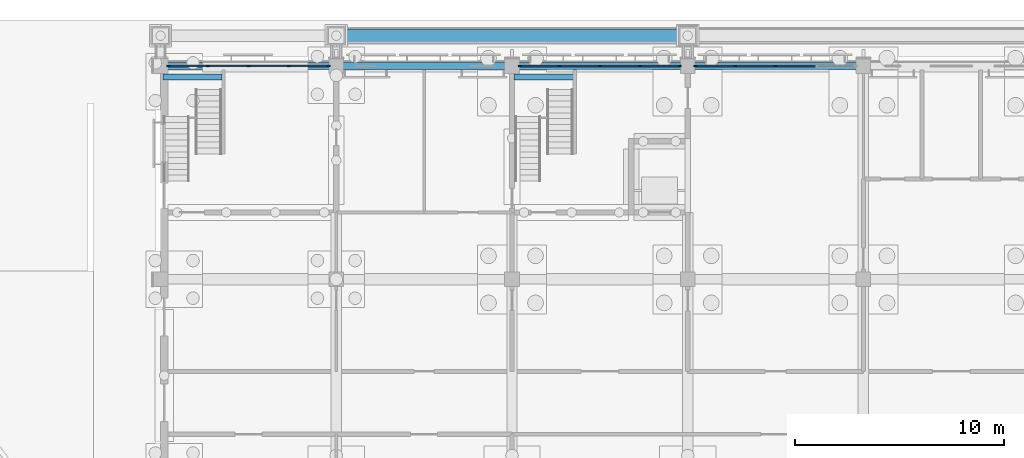
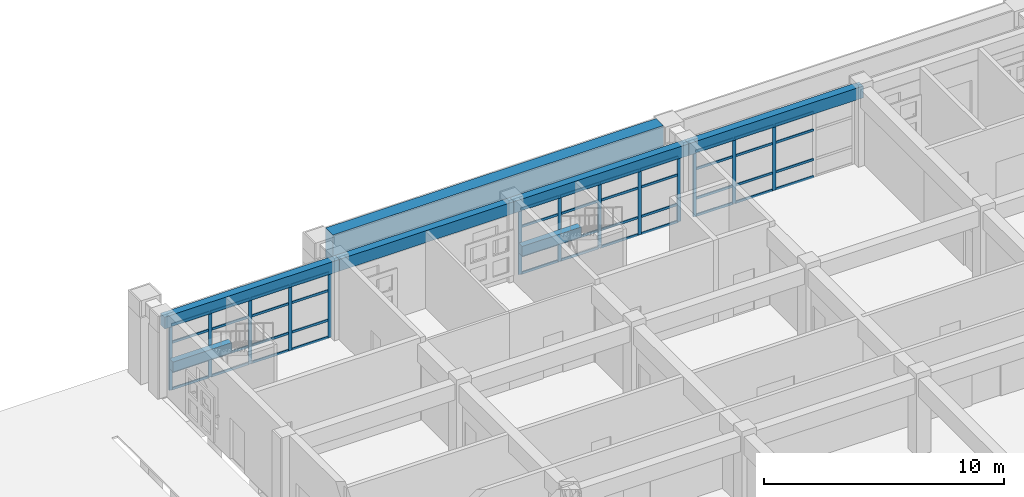
# One storey, part 40 of 112: 57 members, 7 beams, 3 elements without a shape of their own.
"""IFC4 building model written with IfcOpenShell, lengths in metres."""

import ifcopenshell
import ifcopenshell.guid

model = None  # the IFC model being written
_history = None  # IfcOwnerHistory: only IFC2X3 demands one
_inside = {}  # id of a spatial element -> (the spatial element, [elements in it])
_under = {}  # id of a project, library or spatial element -> (it, [spatial elements below it])
_declared = {}  # id of a project -> (the project, [libraries it declares])
_typed = {}  # id of a type object -> (the type object, [elements of that type])
_made_of = {}  # id of a material, layer set ... -> (it, [elements and type objects made of it])


def new_model(schema):
    """Start an empty IFC model of exactly this schema.

    Asked for "IFC4X3", IfcOpenShell would pick the latest addendum, in which some entities
    have other attributes; the version numbers below select the first issue.
    IFC2X3 requires an IfcOwnerHistory on every rooted entity: one is made here for all.
    """
    global model, _history
    if schema == "IFC4X3":
        model = ifcopenshell.file(schema_version=(4, 3, 0, 0))
    else:
        model = ifcopenshell.file(schema=schema)
    _inside.clear()
    _under.clear()
    _declared.clear()
    _typed.clear()
    _made_of.clear()
    _history = None
    if model.schema == "IFC2X3":
        org = make("IfcOrganization", Name="unknown")
        user = make(
            "IfcPersonAndOrganization",
            ThePerson=make("IfcPerson", FamilyName="unknown"),
            TheOrganization=org,
        )
        app = make(
            "IfcApplication",
            ApplicationDeveloper=org,
            Version="unknown",
            ApplicationFullName="unknown",
            ApplicationIdentifier="unknown",
        )
        _history = make(
            "IfcOwnerHistory",
            OwningUser=user,
            OwningApplication=app,
            ChangeAction="ADDED",
            CreationDate=0,
        )
    return model


def make(cls, **values):
    """One entity of the class cls with the attributes given. An attribute that is None is left unset."""
    return model.create_entity(
        cls, **{name: value for name, value in values.items() if value is not None}
    )


def rooted(cls, **values):
    """An entity with a GlobalId (a new one), such as an element, a storey or a relation."""
    return make(cls, GlobalId=ifcopenshell.guid.new(), OwnerHistory=_history, **values)


def si_unit(unit_type, name, prefix=None):
    """IfcSIUnit, for example si_unit("LENGTHUNIT", "METRE", prefix="MILLI")."""
    return make("IfcSIUnit", UnitType=unit_type, Prefix=prefix, Name=name)


def assignment(units):
    """IfcUnitAssignment: the units of a project."""
    return None if units is None else make("IfcUnitAssignment", Units=units)


def point(xyz):
    """IfcCartesianPoint."""
    return None if xyz is None else make("IfcCartesianPoint", Coordinates=xyz)


def direction(xyz):
    """IfcDirection."""
    return None if xyz is None else make("IfcDirection", DirectionRatios=xyz)


def frame(location, z_axis=None, x_axis=None):
    """IfcAxis2Placement3D, a coordinate frame: its origin and axes. An axis left out is left unset."""
    return make(
        "IfcAxis2Placement3D",
        Location=point(location),
        Axis=direction(z_axis),
        RefDirection=direction(x_axis),
    )


def frame_2d(location, x_axis=None):
    """IfcAxis2Placement2D, a coordinate frame in the plane: its origin and x axis."""
    return make(
        "IfcAxis2Placement2D", Location=point(location), RefDirection=direction(x_axis)
    )


def origin():
    """The frame at (0, 0, 0) with its axes left unset."""
    return frame((0.0, 0.0, 0.0))


def origin_2d():
    """The frame at (0, 0) in the plane with its x axis left unset."""
    return frame_2d((0.0, 0.0))


def place(relative_to, where):
    """IfcLocalPlacement: puts the frame where relative to a parent placement (None: the world)."""
    return make(
        "IfcLocalPlacement", PlacementRelTo=relative_to, RelativePlacement=where
    )


def context(
    kind, dimensions, precision=None, world=None, true_north=None, identifier=None
):
    """IfcGeometricRepresentationContext, for example the 3D "Model" context."""
    return make(
        "IfcGeometricRepresentationContext",
        ContextIdentifier=identifier,
        ContextType=kind,
        CoordinateSpaceDimension=dimensions,
        Precision=precision,
        WorldCoordinateSystem=world,
        TrueNorth=true_north,
    )


def subcontext(parent, identifier, kind, view, scale=None):
    """IfcGeometricRepresentationSubContext, for example "Body" below "Model"."""
    return make(
        "IfcGeometricRepresentationSubContext",
        ContextIdentifier=identifier,
        ContextType=kind,
        ParentContext=parent,
        TargetScale=scale,
        TargetView=view,
    )


def project(units=None, contexts=None):
    """IfcProject with its units and contexts."""
    return rooted(
        "IfcProject",
        Name="project",
        RepresentationContexts=contexts,
        UnitsInContext=assignment(units),
    )


def spatial(cls, under=None, at=None, **own):
    """A site, building, storey or space (cls), placed at a placement, below another one or the project."""
    s = rooted(cls, ObjectPlacement=at, **own)
    if under is not None:
        _under.setdefault(under.id(), (under, []))[1].append(s)
    return s


def profile(cls, at=None, kind="AREA", **sizes):
    """A parametric profile (cls). Its sizes go by their IFC names, for example OverallWidth=200.0."""
    return make(cls, ProfileType=kind, Position=at, **sizes)


def rectangle(**sizes):
    """IfcRectangleProfileDef."""
    return profile("IfcRectangleProfileDef", **sizes)


def extrude(swept, where, along, depth):
    """IfcExtrudedAreaSolid: the profile swept, set in the frame where, extruded along a direction by depth."""
    return make(
        "IfcExtrudedAreaSolid",
        SweptArea=swept,
        Position=where,
        ExtrudedDirection=direction(along),
        Depth=depth,
    )


def shape(context_of_items, identifier, shape_type, items):
    """IfcShapeRepresentation: the items that make up one representation, for example the "Body"."""
    return make(
        "IfcShapeRepresentation",
        ContextOfItems=context_of_items,
        RepresentationIdentifier=identifier,
        RepresentationType=shape_type,
        Items=items,
    )


def material(Name=None, Category=None):
    """IfcMaterial."""
    return make("IfcMaterial", Name=Name, Category=Category)


def layer(
    of_material, thickness, ventilated=None, Name=None, Category=None, Priority=None
):
    """IfcMaterialLayer: one layer of a wall or slab, of a material (None: an air gap)."""
    return make(
        "IfcMaterialLayer",
        Material=of_material,
        LayerThickness=thickness,
        IsVentilated=ventilated,
        Name=Name,
        Category=Category,
        Priority=Priority,
    )


def layer_set(layers, Name=None):
    """IfcMaterialLayerSet."""
    return make("IfcMaterialLayerSet", MaterialLayers=layers, LayerSetName=Name)


def material_profile(
    of_material, cross_section, Name=None, Category=None, Priority=None
):
    """IfcMaterialProfile: a cross section and its material."""
    return make(
        "IfcMaterialProfile",
        Name=Name,
        Material=of_material,
        Profile=cross_section,
        Priority=Priority,
        Category=Category,
    )


def profile_set(profiles, Name=None, composite=None):
    """IfcMaterialProfileSet."""
    return make(
        "IfcMaterialProfileSet",
        Name=Name,
        MaterialProfiles=profiles,
        CompositeProfile=composite,
    )


def made_of(thing, what):
    """Note that an element or type object is made of a material, layer set ...; save() writes the relation."""
    if what is not None:
        _made_of.setdefault(what.id(), (what, []))[1].append(thing)
    return thing


def type_object(cls, material=None, **own):
    """A type object (cls), such as IfcWallType, which elements share."""
    return made_of(rooted(cls, **own), material)


def element(
    cls,
    number,
    at=None,
    inside=None,
    cuts=None,
    type_object=None,
    material=None,
    context=None,
    identifier="Body",
    shape_type=None,
    held_by="IfcProductDefinitionShape",
    body=None,
    shapes=None,
    **own,
):
    """One element of the class cls, such as IfcWall. Its Tag is "e" and its number.

    at: its placement. inside: the storey or other place that contains it. cuts: it is an
    opening in that element (IfcRelVoidsElement). A single representation is given by context,
    identifier, shape_type and body (its items); several are given by shapes. held_by: the class
    of the entity that holds the representations. save() writes the other relations.
    """
    e = rooted(cls, Tag="e%d" % number, ObjectPlacement=at, **own)
    if body is not None:
        shapes = [shape(context, identifier, shape_type, body)]
    if shapes is not None:
        e.Representation = make(held_by, Representations=shapes)
    if inside is not None:
        _inside.setdefault(inside.id(), (inside, []))[1].append(e)
    if cuts is not None:
        rooted(
            "IfcRelVoidsElement", RelatingBuildingElement=cuts, RelatedOpeningElement=e
        )
    if type_object is not None:
        _typed.setdefault(type_object.id(), (type_object, []))[1].append(e)
    return made_of(e, material)


def aggregate(whole, parts):
    """IfcRelAggregates: a whole, such as a stair, and the parts it consists of."""
    return rooted("IfcRelAggregates", RelatingObject=whole, RelatedObjects=parts)


def save(model, path):
    """Write the relations noted so far, then the file.

    IfcRelAggregates (storeys below a building ...), IfcRelContainedInSpatialStructure (elements
    in a storey), IfcRelDefinesByType, IfcRelAssociatesMaterial and IfcRelDeclares: one each for
    every whole, place, type object, material and project.
    """
    for whole, parts in _under.values():
        aggregate(whole, parts)
    for where, things in _inside.values():
        rooted(
            "IfcRelContainedInSpatialStructure",
            RelatedElements=things,
            RelatingStructure=where,
        )
    for kind, things in _typed.values():
        rooted("IfcRelDefinesByType", RelatedObjects=things, RelatingType=kind)
    for what, things in _made_of.values():
        rooted("IfcRelAssociatesMaterial", RelatedObjects=things, RelatingMaterial=what)
    for by, libraries in _declared.values():
        rooted("IfcRelDeclares", RelatingContext=by, RelatedDefinitions=libraries)
    model.write(path)


model = new_model("IFC4")

# Units and contexts
model_context = context("Model", 3, precision=1e-05, world=origin(), true_north=direction((0.0, 1.0)))
body_context = subcontext(model_context, "Body", "Model", "MODEL_VIEW")
ifc_project = project(units=[si_unit("LENGTHUNIT", "METRE"), si_unit("AREAUNIT", "SQUARE_METRE"), si_unit("VOLUMEUNIT", "CUBIC_METRE"), si_unit("PLANEANGLEUNIT", "RADIAN"), si_unit("MASSUNIT", "GRAM", prefix="KILO")], contexts=[model_context])

# Site, building, storey
site_placement = place(None, origin())
site = spatial("IfcSite", under=ifc_project, at=site_placement, CompositionType="ELEMENT")
building_placement = place(site_placement, origin())
building = spatial("IfcBuilding", under=site, at=building_placement, Name="Wasatch Bagh Community Centre", CompositionType="ELEMENT")
storey_placement = place(building_placement, origin())
storey = spatial("IfcBuildingStorey", under=building, at=storey_placement, Name="L00", CompositionType="ELEMENT", Elevation=0.0)

# Beams
ifc_material_1 = material(Name="Concrete C35", Category="concrete")
ifc_material_profile_1 = material_profile(ifc_material_1, rectangle(XDim=0.300048828125, YDim=0.5, at=origin_2d()), Name="RC 300x500")
ifc_profile_set_1 = profile_set([ifc_material_profile_1], Name="Concrete C35")
beam_type_1 = type_object("IfcBeamType", Name="LW RC 300x500", PredefinedType="BEAM", material=ifc_profile_set_1)
for number, where, z_axis, x_axis, name in (
    (1, (64.10498046875, 97.280029296875, 1.64990234375), (1.0, 0.0, 0.0), (0.0, 1.0, 0.0), "LW.lbeam.L00.WS"),
    (2, (80.905029296875, 97.280029296875, 1.64990234375), (1.0, 0.0, 0.0), (0.0, 1.0, 0.0), "LW.lbeam.L00.C1"),
):
    element("IfcBeam", number, at=place(storey_placement, frame(where, z_axis=z_axis, x_axis=x_axis)), inside=storey, type_object=beam_type_1, Name=name, PredefinedType="BEAM", context=body_context, shape_type="SweptSolid", body=[
        extrude(rectangle(XDim=0.300048828125, YDim=0.5, at=origin_2d()), origin(), (0.0, 0.0, 1.0), 2.840087890625),
    ])
ifc_material_profile_2 = material_profile(ifc_material_1, rectangle(XDim=0.35009765625, YDim=0.60009765625, at=origin_2d()), Name="RC 350x600")
ifc_profile_set_2 = profile_set([ifc_material_profile_2], Name="Concrete C35")
beam_type_2 = type_object("IfcBeamType", Name="LW RC 350x600", PredefinedType="BEAM", material=ifc_profile_set_2)
beam_1_placement = place(storey_placement, frame((64.0, 97.800048828125, 3.6201171875), z_axis=(1.0, 0.0, 0.0), x_axis=(0.0, 1.0, 0.0)))
element("IfcBeam", 3, at=beam_1_placement, inside=storey, type_object=beam_type_2, Name="W1-W2N", PredefinedType="BEAM", context=body_context, shape_type="SweptSolid", body=[
    extrude(rectangle(XDim=0.35009765625, YDim=0.60009765625, at=origin_2d()), origin(), (0.0, 0.0, 1.0), 8.39990234375),
])
beam_2_placement = place(storey_placement, frame((72.39990234375, 97.800048828125, 3.6201171875), z_axis=(1.0, 0.0, 0.0), x_axis=(0.0, 1.0, 0.0)))
element("IfcBeam", 4, at=beam_2_placement, inside=storey, type_object=beam_type_2, Name="W2-W3N", PredefinedType="BEAM", context=body_context, shape_type="SweptSolid", body=[
    extrude(rectangle(XDim=0.35009765625, YDim=0.60009765625, at=origin_2d()), origin(), (0.0, 0.0, 1.0), 8.400146484375),
])
beam_3_placement = place(storey_placement, frame((80.800048828125, 97.800048828125, 3.6201171875), z_axis=(1.0, 0.0, 0.0), x_axis=(0.0, 1.0, 0.0)))
element("IfcBeam", 5, at=beam_3_placement, inside=storey, type_object=beam_type_2, Name="W3-W4N", PredefinedType="BEAM", context=body_context, shape_type="SweptSolid", body=[
    extrude(rectangle(XDim=0.35009765625, YDim=0.60009765625, at=origin_2d()), origin(), (0.0, 0.0, 1.0), 8.39990234375),
])
beam_4_placement = place(storey_placement, frame((89.199951171875, 97.800048828125, 3.6201171875), z_axis=(1.0, 0.0, 0.0), x_axis=(0.0, 1.0, 0.0)))
element("IfcBeam", 6, at=beam_4_placement, inside=storey, type_object=beam_type_2, Name="W4-W5N", PredefinedType="BEAM", context=body_context, shape_type="SweptSolid", body=[
    extrude(rectangle(XDim=0.35009765625, YDim=0.60009765625, at=origin_2d()), origin(), (0.0, 0.0, 1.0), 8.400146484375),
])

# Curtain wall, members
ifc_material_2 = material(Name="Aluminium curtain wall frame with low-iron glass", Category="aluminium")
ifc_layer_1 = layer(ifc_material_2, 0.10009765625)
ifc_layer_set_1 = layer_set([ifc_layer_1], Name="Aluminium curtain wall frame with low-iron glass")
curtain_wall_type_1 = type_object("IfcCurtainWallType", Name="LW curtain wall 100", PredefinedType="NOTDEFINED", material=ifc_layer_set_1)
curtain_wall_1_placement = place(storey_placement, origin())
curtain_wall_1 = element("IfcCurtainWall", 7, at=curtain_wall_1_placement, inside=storey, type_object=curtain_wall_type_1, Name="Curtain wall 00.06", PredefinedType="NOTDEFINED")
ifc_material_3 = material(Name="Aluminium extrusion", Category="aluminium")
ifc_material_profile_3 = material_profile(ifc_material_3, rectangle(XDim=0.06005859375, YDim=0.159912109375, at=origin_2d()), Name="AL 60x160")
ifc_profile_set_3 = profile_set([ifc_material_profile_3], Name="Aluminium extrusion")
member_type_1 = type_object("IfcMemberType", Name="LW curtain wall mullion 60x160", PredefinedType="MULLION", material=ifc_profile_set_3)
member_1_placement = place(storey_placement, frame((64.3798828125, 97.800048828125, 0.0), z_axis=(0.0, 0.0, 1.0), x_axis=(0.0, 1.0, 0.0)))
member_1 = element("IfcMember", 8, at=member_1_placement, type_object=member_type_1, Name="LW-CW1 mullion 1", PredefinedType="MULLION", context=body_context, shape_type="SweptSolid", body=[
    extrude(rectangle(XDim=0.06005859375, YDim=0.159912109375, at=origin_2d()), origin(), (0.0, 0.0, 1.0), 3.320068359375),
])
member_2_placement = place(storey_placement, frame((66.27490234375, 97.800048828125, 0.0), z_axis=(0.0, 0.0, 1.0), x_axis=(0.0, 1.0, 0.0)))
member_2 = element("IfcMember", 9, at=member_2_placement, type_object=member_type_1, Name="LW-CW1 mullion 2", PredefinedType="MULLION", context=body_context, shape_type="SweptSolid", body=[
    extrude(rectangle(XDim=0.06005859375, YDim=0.159912109375, at=origin_2d()), origin(), (0.0, 0.0, 1.0), 3.320068359375),
])
member_3_placement = place(storey_placement, frame((68.199951171875, 97.800048828125, 0.0), z_axis=(0.0, 0.0, 1.0), x_axis=(0.0, 1.0, 0.0)))
member_3 = element("IfcMember", 10, at=member_3_placement, type_object=member_type_1, Name="LW-CW1 mullion 3", PredefinedType="MULLION", context=body_context, shape_type="SweptSolid", body=[
    extrude(rectangle(XDim=0.06005859375, YDim=0.159912109375, at=origin_2d()), origin(), (0.0, 0.0, 1.0), 3.320068359375),
])
member_4_placement = place(storey_placement, frame((70.125, 97.800048828125, 0.0), z_axis=(0.0, 0.0, 1.0), x_axis=(0.0, 1.0, 0.0)))
member_4 = element("IfcMember", 11, at=member_4_placement, type_object=member_type_1, Name="LW-CW1 mullion 4", PredefinedType="MULLION", context=body_context, shape_type="SweptSolid", body=[
    extrude(rectangle(XDim=0.06005859375, YDim=0.159912109375, at=origin_2d()), origin(), (0.0, 0.0, 1.0), 3.320068359375),
])
member_5_placement = place(storey_placement, frame((72.02001953125, 97.800048828125, 0.0), z_axis=(0.0, 0.0, 1.0), x_axis=(0.0, 1.0, 0.0)))
member_5 = element("IfcMember", 12, at=member_5_placement, type_object=member_type_1, Name="LW-CW1 mullion 5", PredefinedType="MULLION", context=body_context, shape_type="SweptSolid", body=[
    extrude(rectangle(XDim=0.06005859375, YDim=0.159912109375, at=origin_2d()), origin(), (0.0, 0.0, 1.0), 3.320068359375),
])

curtain_wall_2_placement = place(storey_placement, origin())
curtain_wall_2 = element("IfcCurtainWall", 13, at=curtain_wall_2_placement, inside=storey, type_object=curtain_wall_type_1, Name="Curtain wall 00.07", PredefinedType="NOTDEFINED")
member_6_placement = place(storey_placement, frame((81.179931640625, 97.800048828125, 0.0), z_axis=(0.0, 0.0, 1.0), x_axis=(0.0, 1.0, 0.0)))
member_6 = element("IfcMember", 14, at=member_6_placement, type_object=member_type_1, Name="LW-CW1 mullion 1", PredefinedType="MULLION", context=body_context, shape_type="SweptSolid", body=[
    extrude(rectangle(XDim=0.06005859375, YDim=0.159912109375, at=origin_2d()), origin(), (0.0, 0.0, 1.0), 3.320068359375),
])
member_7_placement = place(storey_placement, frame((83.074951171875, 97.800048828125, 0.0), z_axis=(0.0, 0.0, 1.0), x_axis=(0.0, 1.0, 0.0)))
member_7 = element("IfcMember", 15, at=member_7_placement, type_object=member_type_1, Name="LW-CW1 mullion 2", PredefinedType="MULLION", context=body_context, shape_type="SweptSolid", body=[
    extrude(rectangle(XDim=0.06005859375, YDim=0.159912109375, at=origin_2d()), origin(), (0.0, 0.0, 1.0), 3.320068359375),
])
member_8_placement = place(storey_placement, frame((85.0, 97.800048828125, 0.0), z_axis=(0.0, 0.0, 1.0), x_axis=(0.0, 1.0, 0.0)))
member_8 = element("IfcMember", 16, at=member_8_placement, type_object=member_type_1, Name="LW-CW1 mullion 3", PredefinedType="MULLION", context=body_context, shape_type="SweptSolid", body=[
    extrude(rectangle(XDim=0.06005859375, YDim=0.159912109375, at=origin_2d()), origin(), (0.0, 0.0, 1.0), 3.320068359375),
])
member_9_placement = place(storey_placement, frame((86.925048828125, 97.800048828125, 0.0), z_axis=(0.0, 0.0, 1.0), x_axis=(0.0, 1.0, 0.0)))
member_9 = element("IfcMember", 17, at=member_9_placement, type_object=member_type_1, Name="LW-CW1 mullion 4", PredefinedType="MULLION", context=body_context, shape_type="SweptSolid", body=[
    extrude(rectangle(XDim=0.06005859375, YDim=0.159912109375, at=origin_2d()), origin(), (0.0, 0.0, 1.0), 3.320068359375),
])
member_10_placement = place(storey_placement, frame((88.820068359375, 97.800048828125, 0.0), z_axis=(0.0, 0.0, 1.0), x_axis=(0.0, 1.0, 0.0)))
member_10 = element("IfcMember", 18, at=member_10_placement, type_object=member_type_1, Name="LW-CW1 mullion 5", PredefinedType="MULLION", context=body_context, shape_type="SweptSolid", body=[
    extrude(rectangle(XDim=0.06005859375, YDim=0.159912109375, at=origin_2d()), origin(), (0.0, 0.0, 1.0), 3.320068359375),
])

ifc_layer_2 = layer(ifc_material_2, 0.1201171875)
ifc_layer_set_2 = layer_set([ifc_layer_2], Name="Aluminium curtain wall frame with low-iron glass")
curtain_wall_type_2 = type_object("IfcCurtainWallType", Name="LW study front curtain wall 120", PredefinedType="NOTDEFINED", material=ifc_layer_set_2)
curtain_wall_3_placement = place(storey_placement, origin())
curtain_wall_3 = element("IfcCurtainWall", 19, at=curtain_wall_3_placement, inside=storey, type_object=curtain_wall_type_2, Name="Curtain wall 00.08", PredefinedType="NOTDEFINED")
ifc_material_profile_4 = material_profile(ifc_material_3, rectangle(XDim=0.06005859375, YDim=0.159912109375, at=origin_2d()), Name="AL 60x160")
ifc_profile_set_4 = profile_set([ifc_material_profile_4], Name="Aluminium extrusion")
member_type_2 = type_object("IfcMemberType", Name="LW curtain wall mullion 60x160 LW-CW2", PredefinedType="MULLION", material=ifc_profile_set_4)
member_11_placement = place(storey_placement, frame((89.580078125, 97.800048828125, 0.0), z_axis=(0.0, 0.0, 1.0), x_axis=(0.0, 1.0, 0.0)))
member_11 = element("IfcMember", 20, at=member_11_placement, type_object=member_type_2, Name="LW-CW2 mullion 1", PredefinedType="MULLION", context=body_context, shape_type="SweptSolid", body=[
    extrude(rectangle(XDim=0.06005859375, YDim=0.159912109375, at=origin_2d()), origin(), (0.0, 0.0, 1.0), 3.320068359375),
])
member_12_placement = place(storey_placement, frame((91.47509765625, 97.800048828125, 0.0), z_axis=(0.0, 0.0, 1.0), x_axis=(0.0, 1.0, 0.0)))
member_12 = element("IfcMember", 21, at=member_12_placement, type_object=member_type_2, Name="LW-CW2 mullion 2", PredefinedType="MULLION", context=body_context, shape_type="SweptSolid", body=[
    extrude(rectangle(XDim=0.06005859375, YDim=0.159912109375, at=origin_2d()), origin(), (0.0, 0.0, 1.0), 3.320068359375),
])
member_13_placement = place(storey_placement, frame((93.39990234375, 97.800048828125, 0.0), z_axis=(0.0, 0.0, 1.0), x_axis=(0.0, 1.0, 0.0)))
member_13 = element("IfcMember", 22, at=member_13_placement, type_object=member_type_2, Name="LW-CW2 mullion 3", PredefinedType="MULLION", context=body_context, shape_type="SweptSolid", body=[
    extrude(rectangle(XDim=0.06005859375, YDim=0.159912109375, at=origin_2d()), origin(), (0.0, 0.0, 1.0), 3.320068359375),
])

# Member
ifc_material_profile_5 = material_profile(ifc_material_3, rectangle(XDim=0.06005859375, YDim=0.1201171875, at=origin_2d()), Name="AL 60x120")
ifc_profile_set_5 = profile_set([ifc_material_profile_5], Name="Aluminium extrusion")
member_type_3 = type_object("IfcMemberType", Name="LW curtain wall transom 60x120", PredefinedType="USERDEFINED", material=ifc_profile_set_5)
member_14_placement = place(storey_placement, frame((64.409912109375, 97.800048828125, 0.030029296875), z_axis=(1.0, 0.0, 0.0), x_axis=(0.0, 1.0, 0.0)))
member_14 = element("IfcMember", 23, at=member_14_placement, type_object=member_type_3, Name="LW-CW1 transom 1.1", ObjectType="TRANSOM", PredefinedType="USERDEFINED", context=body_context, shape_type="SweptSolid", body=[
    extrude(rectangle(XDim=0.06005859375, YDim=0.1201171875, at=origin_2d()), origin(), (0.0, 0.0, 1.0), 1.835205078125),
])

member_15_placement = place(storey_placement, frame((64.409912109375, 97.800048828125, 0.89990234375), z_axis=(1.0, 0.0, 0.0), x_axis=(0.0, 1.0, 0.0)))
member_15 = element("IfcMember", 24, at=member_15_placement, type_object=member_type_3, Name="LW-CW1 transom 1.2", ObjectType="TRANSOM", PredefinedType="USERDEFINED", context=body_context, shape_type="SweptSolid", body=[
    extrude(rectangle(XDim=0.06005859375, YDim=0.1201171875, at=origin_2d()), origin(), (0.0, 0.0, 1.0), 1.835205078125),
])

member_16_placement = place(storey_placement, frame((64.409912109375, 97.800048828125, 2.39990234375), z_axis=(1.0, 0.0, 0.0), x_axis=(0.0, 1.0, 0.0)))
member_16 = element("IfcMember", 25, at=member_16_placement, type_object=member_type_3, Name="LW-CW1 transom 1.3", ObjectType="TRANSOM", PredefinedType="USERDEFINED", context=body_context, shape_type="SweptSolid", body=[
    extrude(rectangle(XDim=0.06005859375, YDim=0.1201171875, at=origin_2d()), origin(), (0.0, 0.0, 1.0), 1.835205078125),
])

member_17_placement = place(storey_placement, frame((64.409912109375, 97.800048828125, 3.2900390625), z_axis=(1.0, 0.0, 0.0), x_axis=(0.0, 1.0, 0.0)))
member_17 = element("IfcMember", 26, at=member_17_placement, type_object=member_type_3, Name="LW-CW1 transom 1.4", ObjectType="TRANSOM", PredefinedType="USERDEFINED", context=body_context, shape_type="SweptSolid", body=[
    extrude(rectangle(XDim=0.06005859375, YDim=0.1201171875, at=origin_2d()), origin(), (0.0, 0.0, 1.0), 1.835205078125),
])

member_18_placement = place(storey_placement, frame((66.304931640625, 97.800048828125, 0.030029296875), z_axis=(1.0, 0.0, 0.0), x_axis=(0.0, 1.0, 0.0)))
member_18 = element("IfcMember", 27, at=member_18_placement, type_object=member_type_3, Name="LW-CW1 transom 2.1", ObjectType="TRANSOM", PredefinedType="USERDEFINED", context=body_context, shape_type="SweptSolid", body=[
    extrude(rectangle(XDim=0.06005859375, YDim=0.1201171875, at=origin_2d()), origin(), (0.0, 0.0, 1.0), 1.864990234375),
])

member_19_placement = place(storey_placement, frame((66.304931640625, 97.800048828125, 0.89990234375), z_axis=(1.0, 0.0, 0.0), x_axis=(0.0, 1.0, 0.0)))
member_19 = element("IfcMember", 28, at=member_19_placement, type_object=member_type_3, Name="LW-CW1 transom 2.2", ObjectType="TRANSOM", PredefinedType="USERDEFINED", context=body_context, shape_type="SweptSolid", body=[
    extrude(rectangle(XDim=0.06005859375, YDim=0.1201171875, at=origin_2d()), origin(), (0.0, 0.0, 1.0), 1.864990234375),
])

member_20_placement = place(storey_placement, frame((66.304931640625, 97.800048828125, 2.39990234375), z_axis=(1.0, 0.0, 0.0), x_axis=(0.0, 1.0, 0.0)))
member_20 = element("IfcMember", 29, at=member_20_placement, type_object=member_type_3, Name="LW-CW1 transom 2.3", ObjectType="TRANSOM", PredefinedType="USERDEFINED", context=body_context, shape_type="SweptSolid", body=[
    extrude(rectangle(XDim=0.06005859375, YDim=0.1201171875, at=origin_2d()), origin(), (0.0, 0.0, 1.0), 1.864990234375),
])

member_21_placement = place(storey_placement, frame((66.304931640625, 97.800048828125, 3.2900390625), z_axis=(1.0, 0.0, 0.0), x_axis=(0.0, 1.0, 0.0)))
member_21 = element("IfcMember", 30, at=member_21_placement, type_object=member_type_3, Name="LW-CW1 transom 2.4", ObjectType="TRANSOM", PredefinedType="USERDEFINED", context=body_context, shape_type="SweptSolid", body=[
    extrude(rectangle(XDim=0.06005859375, YDim=0.1201171875, at=origin_2d()), origin(), (0.0, 0.0, 1.0), 1.864990234375),
])

member_22_placement = place(storey_placement, frame((68.22998046875, 97.800048828125, 0.030029296875), z_axis=(1.0, 0.0, 0.0), x_axis=(0.0, 1.0, 0.0)))
member_22 = element("IfcMember", 31, at=member_22_placement, type_object=member_type_3, Name="LW-CW1 transom 3.1", ObjectType="TRANSOM", PredefinedType="USERDEFINED", context=body_context, shape_type="SweptSolid", body=[
    extrude(rectangle(XDim=0.06005859375, YDim=0.1201171875, at=origin_2d()), origin(), (0.0, 0.0, 1.0), 1.864990234375),
])

member_23_placement = place(storey_placement, frame((68.22998046875, 97.800048828125, 0.89990234375), z_axis=(1.0, 0.0, 0.0), x_axis=(0.0, 1.0, 0.0)))
member_23 = element("IfcMember", 32, at=member_23_placement, type_object=member_type_3, Name="LW-CW1 transom 3.2", ObjectType="TRANSOM", PredefinedType="USERDEFINED", context=body_context, shape_type="SweptSolid", body=[
    extrude(rectangle(XDim=0.06005859375, YDim=0.1201171875, at=origin_2d()), origin(), (0.0, 0.0, 1.0), 1.864990234375),
])

member_24_placement = place(storey_placement, frame((68.22998046875, 97.800048828125, 2.39990234375), z_axis=(1.0, 0.0, 0.0), x_axis=(0.0, 1.0, 0.0)))
member_24 = element("IfcMember", 33, at=member_24_placement, type_object=member_type_3, Name="LW-CW1 transom 3.3", ObjectType="TRANSOM", PredefinedType="USERDEFINED", context=body_context, shape_type="SweptSolid", body=[
    extrude(rectangle(XDim=0.06005859375, YDim=0.1201171875, at=origin_2d()), origin(), (0.0, 0.0, 1.0), 1.864990234375),
])

member_25_placement = place(storey_placement, frame((68.22998046875, 97.800048828125, 3.2900390625), z_axis=(1.0, 0.0, 0.0), x_axis=(0.0, 1.0, 0.0)))
member_25 = element("IfcMember", 34, at=member_25_placement, type_object=member_type_3, Name="LW-CW1 transom 3.4", ObjectType="TRANSOM", PredefinedType="USERDEFINED", context=body_context, shape_type="SweptSolid", body=[
    extrude(rectangle(XDim=0.06005859375, YDim=0.1201171875, at=origin_2d()), origin(), (0.0, 0.0, 1.0), 1.864990234375),
])

member_26_placement = place(storey_placement, frame((70.155029296875, 97.800048828125, 0.030029296875), z_axis=(1.0, 0.0, 0.0), x_axis=(0.0, 1.0, 0.0)))
member_26 = element("IfcMember", 35, at=member_26_placement, type_object=member_type_3, Name="LW-CW1 transom 4.1", ObjectType="TRANSOM", PredefinedType="USERDEFINED", context=body_context, shape_type="SweptSolid", body=[
    extrude(rectangle(XDim=0.06005859375, YDim=0.1201171875, at=origin_2d()), origin(), (0.0, 0.0, 1.0), 1.8349609375),
])

member_27_placement = place(storey_placement, frame((70.155029296875, 97.800048828125, 0.89990234375), z_axis=(1.0, 0.0, 0.0), x_axis=(0.0, 1.0, 0.0)))
member_27 = element("IfcMember", 36, at=member_27_placement, type_object=member_type_3, Name="LW-CW1 transom 4.2", ObjectType="TRANSOM", PredefinedType="USERDEFINED", context=body_context, shape_type="SweptSolid", body=[
    extrude(rectangle(XDim=0.06005859375, YDim=0.1201171875, at=origin_2d()), origin(), (0.0, 0.0, 1.0), 1.8349609375),
])

member_28_placement = place(storey_placement, frame((70.155029296875, 97.800048828125, 2.39990234375), z_axis=(1.0, 0.0, 0.0), x_axis=(0.0, 1.0, 0.0)))
member_28 = element("IfcMember", 37, at=member_28_placement, type_object=member_type_3, Name="LW-CW1 transom 4.3", ObjectType="TRANSOM", PredefinedType="USERDEFINED", context=body_context, shape_type="SweptSolid", body=[
    extrude(rectangle(XDim=0.06005859375, YDim=0.1201171875, at=origin_2d()), origin(), (0.0, 0.0, 1.0), 1.8349609375),
])

member_29_placement = place(storey_placement, frame((70.155029296875, 97.800048828125, 3.2900390625), z_axis=(1.0, 0.0, 0.0), x_axis=(0.0, 1.0, 0.0)))
member_29 = element("IfcMember", 38, at=member_29_placement, type_object=member_type_3, Name="LW-CW1 transom 4.4", ObjectType="TRANSOM", PredefinedType="USERDEFINED", context=body_context, shape_type="SweptSolid", body=[
    extrude(rectangle(XDim=0.06005859375, YDim=0.1201171875, at=origin_2d()), origin(), (0.0, 0.0, 1.0), 1.8349609375),
])

aggregate(curtain_wall_1, [member_1, member_2, member_3, member_4, member_5, member_14, member_15, member_16, member_17, member_18, member_19, member_20, member_21, member_22, member_23, member_24, member_25, member_26, member_27, member_28, member_29])

member_30_placement = place(storey_placement, frame((81.2099609375, 97.800048828125, 0.030029296875), z_axis=(1.0, 0.0, 0.0), x_axis=(0.0, 1.0, 0.0)))
member_30 = element("IfcMember", 39, at=member_30_placement, type_object=member_type_3, Name="LW-CW1 transom 1.1", ObjectType="TRANSOM", PredefinedType="USERDEFINED", context=body_context, shape_type="SweptSolid", body=[
    extrude(rectangle(XDim=0.06005859375, YDim=0.1201171875, at=origin_2d()), origin(), (0.0, 0.0, 1.0), 1.8349609375),
])

member_31_placement = place(storey_placement, frame((81.2099609375, 97.800048828125, 0.89990234375), z_axis=(1.0, 0.0, 0.0), x_axis=(0.0, 1.0, 0.0)))
member_31 = element("IfcMember", 40, at=member_31_placement, type_object=member_type_3, Name="LW-CW1 transom 1.2", ObjectType="TRANSOM", PredefinedType="USERDEFINED", context=body_context, shape_type="SweptSolid", body=[
    extrude(rectangle(XDim=0.06005859375, YDim=0.1201171875, at=origin_2d()), origin(), (0.0, 0.0, 1.0), 1.8349609375),
])

member_32_placement = place(storey_placement, frame((81.2099609375, 97.800048828125, 2.39990234375), z_axis=(1.0, 0.0, 0.0), x_axis=(0.0, 1.0, 0.0)))
member_32 = element("IfcMember", 41, at=member_32_placement, type_object=member_type_3, Name="LW-CW1 transom 1.3", ObjectType="TRANSOM", PredefinedType="USERDEFINED", context=body_context, shape_type="SweptSolid", body=[
    extrude(rectangle(XDim=0.06005859375, YDim=0.1201171875, at=origin_2d()), origin(), (0.0, 0.0, 1.0), 1.8349609375),
])

member_33_placement = place(storey_placement, frame((81.2099609375, 97.800048828125, 3.2900390625), z_axis=(1.0, 0.0, 0.0), x_axis=(0.0, 1.0, 0.0)))
member_33 = element("IfcMember", 42, at=member_33_placement, type_object=member_type_3, Name="LW-CW1 transom 1.4", ObjectType="TRANSOM", PredefinedType="USERDEFINED", context=body_context, shape_type="SweptSolid", body=[
    extrude(rectangle(XDim=0.06005859375, YDim=0.1201171875, at=origin_2d()), origin(), (0.0, 0.0, 1.0), 1.8349609375),
])

member_34_placement = place(storey_placement, frame((83.10498046875, 97.800048828125, 0.030029296875), z_axis=(1.0, 0.0, 0.0), x_axis=(0.0, 1.0, 0.0)))
member_34 = element("IfcMember", 43, at=member_34_placement, type_object=member_type_3, Name="LW-CW1 transom 2.1", ObjectType="TRANSOM", PredefinedType="USERDEFINED", context=body_context, shape_type="SweptSolid", body=[
    extrude(rectangle(XDim=0.06005859375, YDim=0.1201171875, at=origin_2d()), origin(), (0.0, 0.0, 1.0), 1.864990234375),
])

member_35_placement = place(storey_placement, frame((83.10498046875, 97.800048828125, 0.89990234375), z_axis=(1.0, 0.0, 0.0), x_axis=(0.0, 1.0, 0.0)))
member_35 = element("IfcMember", 44, at=member_35_placement, type_object=member_type_3, Name="LW-CW1 transom 2.2", ObjectType="TRANSOM", PredefinedType="USERDEFINED", context=body_context, shape_type="SweptSolid", body=[
    extrude(rectangle(XDim=0.06005859375, YDim=0.1201171875, at=origin_2d()), origin(), (0.0, 0.0, 1.0), 1.864990234375),
])

member_36_placement = place(storey_placement, frame((83.10498046875, 97.800048828125, 2.39990234375), z_axis=(1.0, 0.0, 0.0), x_axis=(0.0, 1.0, 0.0)))
member_36 = element("IfcMember", 45, at=member_36_placement, type_object=member_type_3, Name="LW-CW1 transom 2.3", ObjectType="TRANSOM", PredefinedType="USERDEFINED", context=body_context, shape_type="SweptSolid", body=[
    extrude(rectangle(XDim=0.06005859375, YDim=0.1201171875, at=origin_2d()), origin(), (0.0, 0.0, 1.0), 1.864990234375),
])

member_37_placement = place(storey_placement, frame((83.10498046875, 97.800048828125, 3.2900390625), z_axis=(1.0, 0.0, 0.0), x_axis=(0.0, 1.0, 0.0)))
member_37 = element("IfcMember", 46, at=member_37_placement, type_object=member_type_3, Name="LW-CW1 transom 2.4", ObjectType="TRANSOM", PredefinedType="USERDEFINED", context=body_context, shape_type="SweptSolid", body=[
    extrude(rectangle(XDim=0.06005859375, YDim=0.1201171875, at=origin_2d()), origin(), (0.0, 0.0, 1.0), 1.864990234375),
])

member_38_placement = place(storey_placement, frame((85.030029296875, 97.800048828125, 0.030029296875), z_axis=(1.0, 0.0, 0.0), x_axis=(0.0, 1.0, 0.0)))
member_38 = element("IfcMember", 47, at=member_38_placement, type_object=member_type_3, Name="LW-CW1 transom 3.1", ObjectType="TRANSOM", PredefinedType="USERDEFINED", context=body_context, shape_type="SweptSolid", body=[
    extrude(rectangle(XDim=0.06005859375, YDim=0.1201171875, at=origin_2d()), origin(), (0.0, 0.0, 1.0), 1.864990234375),
])

member_39_placement = place(storey_placement, frame((85.030029296875, 97.800048828125, 0.89990234375), z_axis=(1.0, 0.0, 0.0), x_axis=(0.0, 1.0, 0.0)))
member_39 = element("IfcMember", 48, at=member_39_placement, type_object=member_type_3, Name="LW-CW1 transom 3.2", ObjectType="TRANSOM", PredefinedType="USERDEFINED", context=body_context, shape_type="SweptSolid", body=[
    extrude(rectangle(XDim=0.06005859375, YDim=0.1201171875, at=origin_2d()), origin(), (0.0, 0.0, 1.0), 1.864990234375),
])

member_40_placement = place(storey_placement, frame((85.030029296875, 97.800048828125, 2.39990234375), z_axis=(1.0, 0.0, 0.0), x_axis=(0.0, 1.0, 0.0)))
member_40 = element("IfcMember", 49, at=member_40_placement, type_object=member_type_3, Name="LW-CW1 transom 3.3", ObjectType="TRANSOM", PredefinedType="USERDEFINED", context=body_context, shape_type="SweptSolid", body=[
    extrude(rectangle(XDim=0.06005859375, YDim=0.1201171875, at=origin_2d()), origin(), (0.0, 0.0, 1.0), 1.864990234375),
])

member_41_placement = place(storey_placement, frame((85.030029296875, 97.800048828125, 3.2900390625), z_axis=(1.0, 0.0, 0.0), x_axis=(0.0, 1.0, 0.0)))
member_41 = element("IfcMember", 50, at=member_41_placement, type_object=member_type_3, Name="LW-CW1 transom 3.4", ObjectType="TRANSOM", PredefinedType="USERDEFINED", context=body_context, shape_type="SweptSolid", body=[
    extrude(rectangle(XDim=0.06005859375, YDim=0.1201171875, at=origin_2d()), origin(), (0.0, 0.0, 1.0), 1.864990234375),
])

member_42_placement = place(storey_placement, frame((86.955078125, 97.800048828125, 0.030029296875), z_axis=(1.0, 0.0, 0.0), x_axis=(0.0, 1.0, 0.0)))
member_42 = element("IfcMember", 51, at=member_42_placement, type_object=member_type_3, Name="LW-CW1 transom 4.1", ObjectType="TRANSOM", PredefinedType="USERDEFINED", context=body_context, shape_type="SweptSolid", body=[
    extrude(rectangle(XDim=0.06005859375, YDim=0.1201171875, at=origin_2d()), origin(), (0.0, 0.0, 1.0), 1.8349609375),
])

member_43_placement = place(storey_placement, frame((86.955078125, 97.800048828125, 0.89990234375), z_axis=(1.0, 0.0, 0.0), x_axis=(0.0, 1.0, 0.0)))
member_43 = element("IfcMember", 52, at=member_43_placement, type_object=member_type_3, Name="LW-CW1 transom 4.2", ObjectType="TRANSOM", PredefinedType="USERDEFINED", context=body_context, shape_type="SweptSolid", body=[
    extrude(rectangle(XDim=0.06005859375, YDim=0.1201171875, at=origin_2d()), origin(), (0.0, 0.0, 1.0), 1.8349609375),
])

member_44_placement = place(storey_placement, frame((86.955078125, 97.800048828125, 2.39990234375), z_axis=(1.0, 0.0, 0.0), x_axis=(0.0, 1.0, 0.0)))
member_44 = element("IfcMember", 53, at=member_44_placement, type_object=member_type_3, Name="LW-CW1 transom 4.3", ObjectType="TRANSOM", PredefinedType="USERDEFINED", context=body_context, shape_type="SweptSolid", body=[
    extrude(rectangle(XDim=0.06005859375, YDim=0.1201171875, at=origin_2d()), origin(), (0.0, 0.0, 1.0), 1.8349609375),
])

member_45_placement = place(storey_placement, frame((86.955078125, 97.800048828125, 3.2900390625), z_axis=(1.0, 0.0, 0.0), x_axis=(0.0, 1.0, 0.0)))
member_45 = element("IfcMember", 54, at=member_45_placement, type_object=member_type_3, Name="LW-CW1 transom 4.4", ObjectType="TRANSOM", PredefinedType="USERDEFINED", context=body_context, shape_type="SweptSolid", body=[
    extrude(rectangle(XDim=0.06005859375, YDim=0.1201171875, at=origin_2d()), origin(), (0.0, 0.0, 1.0), 1.8349609375),
])

aggregate(curtain_wall_2, [member_6, member_7, member_8, member_9, member_10, member_30, member_31, member_32, member_33, member_34, member_35, member_36, member_37, member_38, member_39, member_40, member_41, member_42, member_43, member_44, member_45])

ifc_material_profile_6 = material_profile(ifc_material_3, rectangle(XDim=0.06005859375, YDim=0.1201171875, at=origin_2d()), Name="AL 60x120")
ifc_profile_set_6 = profile_set([ifc_material_profile_6], Name="Aluminium extrusion")
member_type_4 = type_object("IfcMemberType", Name="LW curtain wall transom 60x120 LW-CW2", PredefinedType="USERDEFINED", material=ifc_profile_set_6)
member_46_placement = place(storey_placement, frame((89.610107421875, 97.800048828125, 0.030029296875), z_axis=(1.0, 0.0, 0.0), x_axis=(0.0, 1.0, 0.0)))
member_46 = element("IfcMember", 55, at=member_46_placement, type_object=member_type_4, Name="LW-CW2 transom 1.1", ObjectType="TRANSOM", PredefinedType="USERDEFINED", context=body_context, shape_type="SweptSolid", body=[
    extrude(rectangle(XDim=0.06005859375, YDim=0.1201171875, at=origin_2d()), origin(), (0.0, 0.0, 1.0), 1.8349609375),
])

member_47_placement = place(storey_placement, frame((89.610107421875, 97.800048828125, 0.89990234375), z_axis=(1.0, 0.0, 0.0), x_axis=(0.0, 1.0, 0.0)))
member_47 = element("IfcMember", 56, at=member_47_placement, type_object=member_type_4, Name="LW-CW2 transom 1.2", ObjectType="TRANSOM", PredefinedType="USERDEFINED", context=body_context, shape_type="SweptSolid", body=[
    extrude(rectangle(XDim=0.06005859375, YDim=0.1201171875, at=origin_2d()), origin(), (0.0, 0.0, 1.0), 1.8349609375),
])

member_48_placement = place(storey_placement, frame((89.610107421875, 97.800048828125, 2.39990234375), z_axis=(1.0, 0.0, 0.0), x_axis=(0.0, 1.0, 0.0)))
member_48 = element("IfcMember", 57, at=member_48_placement, type_object=member_type_4, Name="LW-CW2 transom 1.3", ObjectType="TRANSOM", PredefinedType="USERDEFINED", context=body_context, shape_type="SweptSolid", body=[
    extrude(rectangle(XDim=0.06005859375, YDim=0.1201171875, at=origin_2d()), origin(), (0.0, 0.0, 1.0), 1.8349609375),
])

member_49_placement = place(storey_placement, frame((89.610107421875, 97.800048828125, 3.2900390625), z_axis=(1.0, 0.0, 0.0), x_axis=(0.0, 1.0, 0.0)))
member_49 = element("IfcMember", 58, at=member_49_placement, type_object=member_type_4, Name="LW-CW2 transom 1.4", ObjectType="TRANSOM", PredefinedType="USERDEFINED", context=body_context, shape_type="SweptSolid", body=[
    extrude(rectangle(XDim=0.06005859375, YDim=0.1201171875, at=origin_2d()), origin(), (0.0, 0.0, 1.0), 1.8349609375),
])

member_50_placement = place(storey_placement, frame((91.5048828125, 97.800048828125, 0.030029296875), z_axis=(1.0, 0.0, 0.0), x_axis=(0.0, 1.0, 0.0)))
member_50 = element("IfcMember", 59, at=member_50_placement, type_object=member_type_4, Name="LW-CW2 transom 2.1", ObjectType="TRANSOM", PredefinedType="USERDEFINED", context=body_context, shape_type="SweptSolid", body=[
    extrude(rectangle(XDim=0.06005859375, YDim=0.1201171875, at=origin_2d()), origin(), (0.0, 0.0, 1.0), 1.865234375),
])

member_51_placement = place(storey_placement, frame((91.5048828125, 97.800048828125, 0.89990234375), z_axis=(1.0, 0.0, 0.0), x_axis=(0.0, 1.0, 0.0)))
member_51 = element("IfcMember", 60, at=member_51_placement, type_object=member_type_4, Name="LW-CW2 transom 2.2", ObjectType="TRANSOM", PredefinedType="USERDEFINED", context=body_context, shape_type="SweptSolid", body=[
    extrude(rectangle(XDim=0.06005859375, YDim=0.1201171875, at=origin_2d()), origin(), (0.0, 0.0, 1.0), 1.865234375),
])

member_52_placement = place(storey_placement, frame((91.5048828125, 97.800048828125, 2.39990234375), z_axis=(1.0, 0.0, 0.0), x_axis=(0.0, 1.0, 0.0)))
member_52 = element("IfcMember", 61, at=member_52_placement, type_object=member_type_4, Name="LW-CW2 transom 2.3", ObjectType="TRANSOM", PredefinedType="USERDEFINED", context=body_context, shape_type="SweptSolid", body=[
    extrude(rectangle(XDim=0.06005859375, YDim=0.1201171875, at=origin_2d()), origin(), (0.0, 0.0, 1.0), 1.865234375),
])

member_53_placement = place(storey_placement, frame((91.5048828125, 97.800048828125, 3.2900390625), z_axis=(1.0, 0.0, 0.0), x_axis=(0.0, 1.0, 0.0)))
member_53 = element("IfcMember", 62, at=member_53_placement, type_object=member_type_4, Name="LW-CW2 transom 2.4", ObjectType="TRANSOM", PredefinedType="USERDEFINED", context=body_context, shape_type="SweptSolid", body=[
    extrude(rectangle(XDim=0.06005859375, YDim=0.1201171875, at=origin_2d()), origin(), (0.0, 0.0, 1.0), 1.865234375),
])

member_54_placement = place(storey_placement, frame((93.429931640625, 97.800048828125, 0.030029296875), z_axis=(1.0, 0.0, 0.0), x_axis=(0.0, 1.0, 0.0)))
member_54 = element("IfcMember", 63, at=member_54_placement, type_object=member_type_4, Name="LW-CW2 transom 3.1", ObjectType="TRANSOM", PredefinedType="USERDEFINED", context=body_context, shape_type="SweptSolid", body=[
    extrude(rectangle(XDim=0.06005859375, YDim=0.1201171875, at=origin_2d()), origin(), (0.0, 0.0, 1.0), 1.864990234375),
])

member_55_placement = place(storey_placement, frame((93.429931640625, 97.800048828125, 0.89990234375), z_axis=(1.0, 0.0, 0.0), x_axis=(0.0, 1.0, 0.0)))
member_55 = element("IfcMember", 64, at=member_55_placement, type_object=member_type_4, Name="LW-CW2 transom 3.2", ObjectType="TRANSOM", PredefinedType="USERDEFINED", context=body_context, shape_type="SweptSolid", body=[
    extrude(rectangle(XDim=0.06005859375, YDim=0.1201171875, at=origin_2d()), origin(), (0.0, 0.0, 1.0), 1.864990234375),
])

member_56_placement = place(storey_placement, frame((93.429931640625, 97.800048828125, 2.39990234375), z_axis=(1.0, 0.0, 0.0), x_axis=(0.0, 1.0, 0.0)))
member_56 = element("IfcMember", 65, at=member_56_placement, type_object=member_type_4, Name="LW-CW2 transom 3.3", ObjectType="TRANSOM", PredefinedType="USERDEFINED", context=body_context, shape_type="SweptSolid", body=[
    extrude(rectangle(XDim=0.06005859375, YDim=0.1201171875, at=origin_2d()), origin(), (0.0, 0.0, 1.0), 1.864990234375),
])

member_57_placement = place(storey_placement, frame((93.429931640625, 97.800048828125, 3.2900390625), z_axis=(1.0, 0.0, 0.0), x_axis=(0.0, 1.0, 0.0)))
member_57 = element("IfcMember", 66, at=member_57_placement, type_object=member_type_4, Name="LW-CW2 transom 3.4", ObjectType="TRANSOM", PredefinedType="USERDEFINED", context=body_context, shape_type="SweptSolid", body=[
    extrude(rectangle(XDim=0.06005859375, YDim=0.1201171875, at=origin_2d()), origin(), (0.0, 0.0, 1.0), 1.864990234375),
])

aggregate(curtain_wall_3, [member_11, member_12, member_13, member_46, member_47, member_48, member_49, member_50, member_51, member_52, member_53, member_54, member_55, member_56, member_57])

# Beam
ifc_material_profile_7 = material_profile(ifc_material_1, rectangle(XDim=0.60009765625, YDim=1.5, at=origin_2d()), Name="RC 600x1500")
ifc_profile_set_7 = profile_set([ifc_material_profile_7], Name="Concrete C35")
beam_type_3 = type_object("IfcBeamType", Name="LW-B7", PredefinedType="BEAM", material=ifc_profile_set_7)
beam_5_placement = place(storey_placement, frame((72.85009765625, 99.25, 3.449951171875), z_axis=(1.0, 0.0, 0.0), x_axis=(0.0, 1.0, 0.0)))
element("IfcBeam", 67, at=beam_5_placement, inside=storey, type_object=beam_type_3, Name="LW-B7 arcade girder B1", PredefinedType="BEAM", context=body_context, shape_type="SweptSolid", body=[
    extrude(rectangle(XDim=0.60009765625, YDim=1.5, at=origin_2d()), origin(), (0.0, 0.0, 1.0), 15.89990234375),
])

save(model, "model.ifc")
